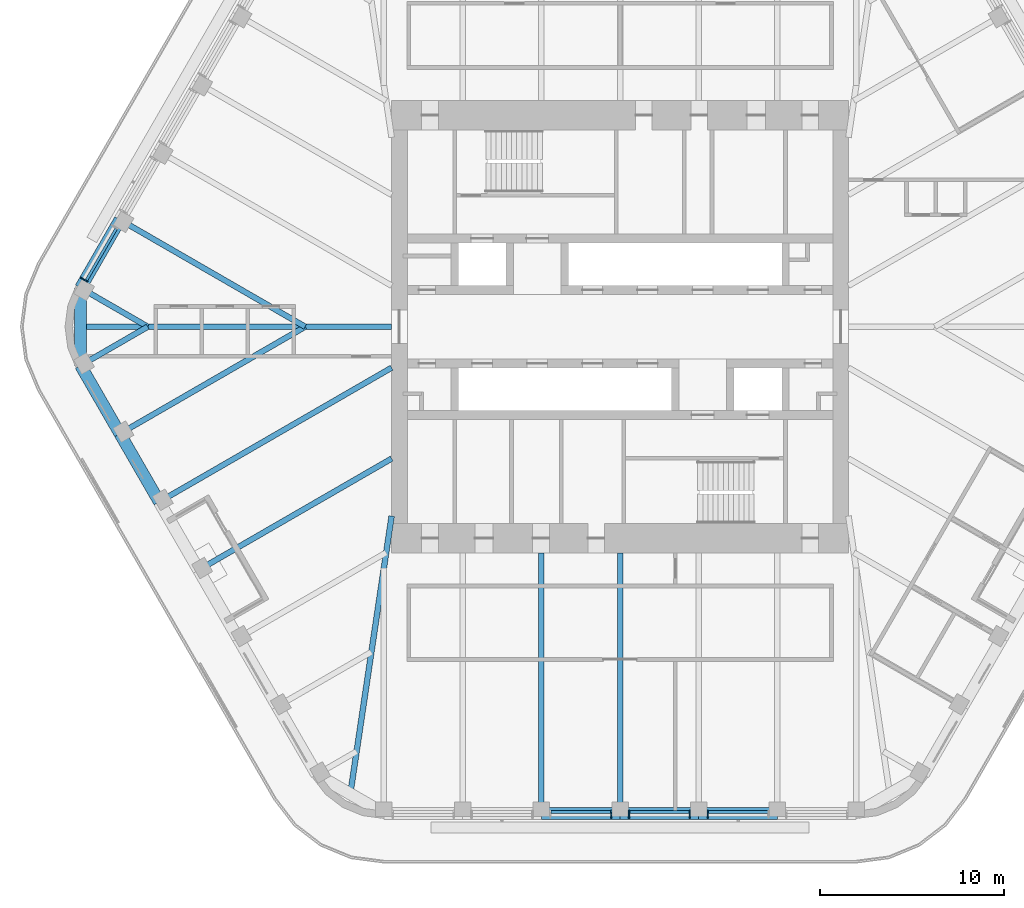
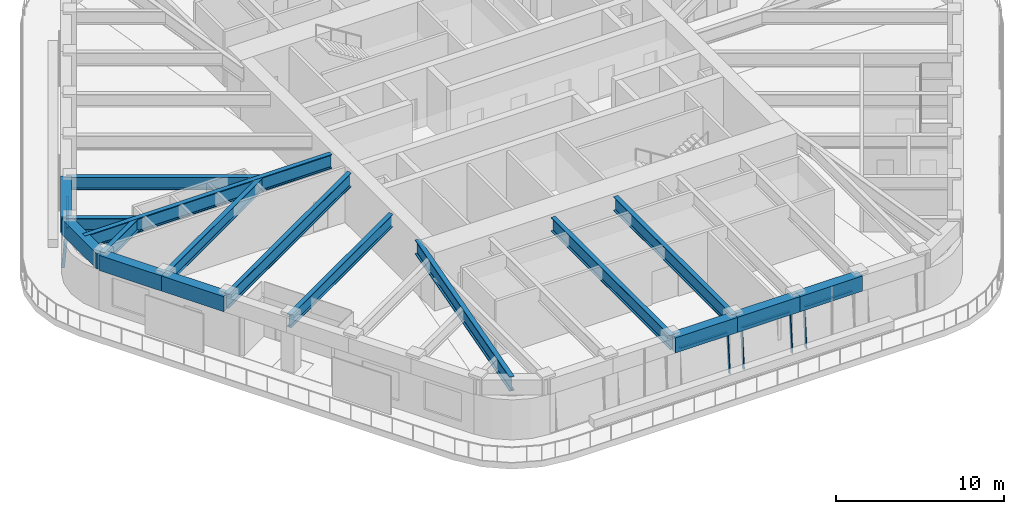
# One storey, part 3 of 19: 17 beams, 9 members, 4 elements without a shape of their own.
"""IFC4 building model written with IfcOpenShell, lengths in metres."""

from ifc_helpers import new_model, si_unit, direction, frame, origin, origin_2d, place, context, subcontext, project, spatial, rectangle, i_section, extrude, material, material_profile, profile_set, type_object, element, aggregate, save


model = new_model("IFC4")

# Units and contexts
model_context = context("Model", 3, precision=1e-05, world=origin(), true_north=direction((0.0, 1.0)))
body_context = subcontext(model_context, "Body", "Model", "MODEL_VIEW")
ifc_project = project(units=[si_unit("LENGTHUNIT", "METRE"), si_unit("AREAUNIT", "SQUARE_METRE"), si_unit("VOLUMEUNIT", "CUBIC_METRE"), si_unit("PLANEANGLEUNIT", "RADIAN"), si_unit("MASSUNIT", "GRAM", prefix="KILO")], contexts=[model_context])

# Site, building, storey
site_placement = place(None, origin())
site = spatial("IfcSite", under=ifc_project, at=site_placement, CompositionType="ELEMENT")
building_placement = place(site_placement, origin())
building = spatial("IfcBuilding", under=site, at=building_placement, Name="Tarfa Lantern Tower", CompositionType="ELEMENT")
storey_placement = place(building_placement, frame((0.0, 0.0, 357.699951171875)))
storey = spatial("IfcBuildingStorey", under=building, at=storey_placement, Name="L81", CompositionType="ELEMENT", Elevation=357.699951171875)

# Curtain wall, member
ifc_material_1 = material(Name="Aluminium framed curtain wall", Category="aluminium")
curtain_wall_type = type_object("IfcCurtainWallType", Name="CW4 CANTED GLAZING EXECUTIVE ZONE 2900", PredefinedType="USERDEFINED", material=ifc_material_1)
curtain_wall_1_placement = place(storey_placement, origin())
curtain_wall_1 = element("IfcCurtainWall", 1, at=curtain_wall_1_placement, inside=storey, type_object=curtain_wall_type, Name="CW4 NW L81", ObjectType="CURTAIN WALL", PredefinedType="USERDEFINED")
ifc_material_2 = material(Name="Aluminium mullion", Category="aluminium")
ifc_material_profile_1 = material_profile(ifc_material_2, rectangle(XDim=0.06494140625, YDim=0.199951171875, at=origin_2d()), Name="AL MULLION 65x200")
ifc_profile_set_1 = profile_set([ifc_material_profile_1], Name="Aluminium mullion")
member_type_1 = type_object("IfcMemberType", Name="CWM1 MULLION 65x200", PredefinedType="MULLION", material=ifc_profile_set_1)
member_1_placement = place(storey_placement, frame((-29.26123046875, 2.617919921875, 0.0), z_axis=(0.074310195522, -0.042942234884, 0.996310172238), x_axis=(0.500342721131, 0.865827443207, 0.0)))
member_1 = element("IfcMember", 2, at=member_1_placement, type_object=member_type_1, Name="CW4 mullion 2", PredefinedType="MULLION", context=body_context, shape_type="SweptSolid", body=[
    extrude(rectangle(XDim=0.06494140625, YDim=0.199951171875, at=origin_2d()), origin(), (0.0, 0.0, 1.0), 2.910888671875),
])

curtain_wall_2_placement = place(storey_placement, origin())
curtain_wall_2 = element("IfcCurtainWall", 3, at=curtain_wall_2_placement, inside=storey, type_object=curtain_wall_type, Name="CW4 S L81", ObjectType="CURTAIN WALL", PredefinedType="USERDEFINED")
member_2_placement = place(storey_placement, frame((-0.482421875, -26.64990234375, 0.0), z_axis=(0.0, 0.085884035992, 0.996305140186), x_axis=(-1.0, 0.0, 0.0)))
member_2 = element("IfcMember", 4, at=member_2_placement, type_object=member_type_1, Name="CW4 mullion 2", PredefinedType="MULLION", context=body_context, shape_type="SweptSolid", body=[
    extrude(rectangle(XDim=0.06494140625, YDim=0.199951171875, at=origin_2d()), origin(), (0.0, 0.0, 1.0), 2.910888671875),
])

# Curtain wall, members
curtain_wall_3_placement = place(storey_placement, origin())
curtain_wall_3 = element("IfcCurtainWall", 5, at=curtain_wall_3_placement, inside=storey, type_object=curtain_wall_type, Name="CW4 S L81", ObjectType="CURTAIN WALL", PredefinedType="USERDEFINED")
member_3_placement = place(storey_placement, frame((0.482421875, -26.64990234375, 0.0), z_axis=(0.0, 0.085884035992, 0.996305140186), x_axis=(-1.0, 0.0, 0.0)))
member_3 = element("IfcMember", 6, at=member_3_placement, type_object=member_type_1, Name="CW4 mullion 1", PredefinedType="MULLION", context=body_context, shape_type="SweptSolid", body=[
    extrude(rectangle(XDim=0.06494140625, YDim=0.199951171875, at=origin_2d()), origin(), (0.0, 0.0, 1.0), 2.910888671875),
])
member_4_placement = place(storey_placement, frame((3.799560546875, -26.64990234375, 0.0), z_axis=(0.0, 0.085884035992, 0.996305140186), x_axis=(-1.0, 0.0, 0.0)))
member_4 = element("IfcMember", 7, at=member_4_placement, type_object=member_type_1, Name="CW4 mullion 2", PredefinedType="MULLION", context=body_context, shape_type="SweptSolid", body=[
    extrude(rectangle(XDim=0.06494140625, YDim=0.199951171875, at=origin_2d()), origin(), (0.0, 0.0, 1.0), 2.910888671875),
])

# Curtain wall, member
curtain_wall_4_placement = place(storey_placement, origin())
curtain_wall_4 = element("IfcCurtainWall", 8, at=curtain_wall_4_placement, inside=storey, type_object=curtain_wall_type, Name="CW4 S L81", ObjectType="CURTAIN WALL", PredefinedType="USERDEFINED")
member_5_placement = place(storey_placement, frame((4.764404296875, -26.64990234375, 0.0), z_axis=(0.0, 0.085884035992, 0.996305140186), x_axis=(-1.0, 0.0, 0.0)))
member_5 = element("IfcMember", 9, at=member_5_placement, type_object=member_type_1, Name="CW4 mullion 1", PredefinedType="MULLION", context=body_context, shape_type="SweptSolid", body=[
    extrude(rectangle(XDim=0.06494140625, YDim=0.199951171875, at=origin_2d()), origin(), (0.0, 0.0, 1.0), 2.910888671875),
])

# Member
ifc_material_3 = material(Name="Aluminium transom", Category="aluminium")
ifc_material_profile_2 = material_profile(ifc_material_3, rectangle(XDim=0.14990234375, YDim=0.06494140625, at=origin_2d()), Name="AL TRANSOM 150x65")
ifc_profile_set_2 = profile_set([ifc_material_profile_2], Name="Aluminium transom")
member_type_2 = type_object("IfcMemberType", Name="CWT1 TRANSOM 150x65", PredefinedType="USERDEFINED", material=ifc_profile_set_2)
member_6_placement = place(storey_placement, frame((-27.405029296875, 5.338623046875, 2.867431640625), z_axis=(-0.500014901547, -0.866016800201, 0.0), x_axis=(0.866016800201, -0.500014901547, 0.0)))
member_6 = element("IfcMember", 10, at=member_6_placement, type_object=member_type_2, Name="CW4 transom 1.2", ObjectType="TRANSOM", PredefinedType="USERDEFINED", context=body_context, shape_type="SweptSolid", body=[
    extrude(rectangle(XDim=0.14990234375, YDim=0.06494140625, at=origin_2d()), origin(), (0.0, 0.0, 1.0), 3.251953125),
])

aggregate(curtain_wall_1, [member_1, member_6])

member_7_placement = place(storey_placement, frame((-3.76708984375, -26.40283203125, 2.867431640625), z_axis=(1.0, 0.0, 0.0), x_axis=(0.0, 1.0, 0.0)))
member_7 = element("IfcMember", 11, at=member_7_placement, type_object=member_type_2, Name="CW4 transom 1.2", ObjectType="TRANSOM", PredefinedType="USERDEFINED", context=body_context, shape_type="SweptSolid", body=[
    extrude(rectangle(XDim=0.14990234375, YDim=0.06494140625, at=origin_2d()), origin(), (0.0, 0.0, 1.0), 3.252197265625),
])

aggregate(curtain_wall_2, [member_2, member_7])

member_8_placement = place(storey_placement, frame((0.514892578125, -26.40283203125, 2.867431640625), z_axis=(1.0, 0.0, 0.0), x_axis=(0.0, 1.0, 0.0)))
member_8 = element("IfcMember", 12, at=member_8_placement, type_object=member_type_2, Name="CW4 transom 1.2", ObjectType="TRANSOM", PredefinedType="USERDEFINED", context=body_context, shape_type="SweptSolid", body=[
    extrude(rectangle(XDim=0.14990234375, YDim=0.06494140625, at=origin_2d()), origin(), (0.0, 0.0, 1.0), 3.252197265625),
])

aggregate(curtain_wall_3, [member_3, member_4, member_8])

member_9_placement = place(storey_placement, frame((4.797119140625, -26.40283203125, 2.867431640625), z_axis=(1.0, 0.0, 0.0), x_axis=(0.0, 1.0, 0.0)))
member_9 = element("IfcMember", 13, at=member_9_placement, type_object=member_type_2, Name="CW4 transom 1.2", ObjectType="TRANSOM", PredefinedType="USERDEFINED", context=body_context, shape_type="SweptSolid", body=[
    extrude(rectangle(XDim=0.14990234375, YDim=0.06494140625, at=origin_2d()), origin(), (0.0, 0.0, 1.0), 3.251953125),
])

aggregate(curtain_wall_4, [member_5, member_9])

# Beams
ifc_material_4 = material(Name="Concrete C80/95", Category="concrete")
ifc_material_profile_3 = material_profile(ifc_material_4, rectangle(XDim=0.64990234375, YDim=1.10009765625, at=origin_2d()), Name="RC 650x1100")
ifc_profile_set_3 = profile_set([ifc_material_profile_3], Name="Concrete C80/95")
beam_type_1 = type_object("IfcBeamType", Name="EB4 RC 650x1100", PredefinedType="SPANDREL", material=ifc_profile_set_3)
beam_1_placement = place(storey_placement, frame((-27.205810546875, 5.818359375, 3.449951171875), z_axis=(-0.499984039138, -0.866034618596, 0.0), x_axis=(0.866034618596, -0.499984039138, 0.0)))
element("IfcBeam", 14, at=beam_1_placement, inside=storey, type_object=beam_type_1, Name="Edge beam NW5", PredefinedType="SPANDREL", context=body_context, shape_type="SweptSolid", body=[
    extrude(rectangle(XDim=0.64990234375, YDim=1.10009765625, at=origin_2d()), origin(), (0.0, 0.0, 1.0), 4.281982421875),
])
beam_2_placement = place(storey_placement, frame((-29.3466796875, 2.110107421875, 3.449951171875), z_axis=(0.0, -1.0, 0.0), x_axis=(1.0, 0.0, 0.0)))
element("IfcBeam", 15, at=beam_2_placement, inside=storey, type_object=beam_type_1, Name="Edge beam NW6", PredefinedType="SPANDREL", context=body_context, shape_type="SweptSolid", body=[
    extrude(rectangle(XDim=0.64990234375, YDim=1.10009765625, at=origin_2d()), origin(), (0.0, 0.0, 1.0), 4.22021484375),
])
for number, where, z_axis, x_axis, name in (
    (16, (-29.3466796875, -2.110107421875, 3.449951171875), (0.499984039138, -0.866034618596, 0.0), (0.866034618596, 0.499984039138, 0.0), "Edge beam SW0"),
    (17, (-27.205810546875, -5.818359375, 3.449951171875), (0.500026801138, -0.866009929587, 0.0), (0.866009929587, 0.500026801138, 0.0), "Edge beam SW1"),
    (18, (-4.281982421875, -26.469970703125, 3.449951171875), (1.0, 0.0, 0.0), (0.0, 1.0, 0.0), "Edge beam S2"),
    (19, (0.0, -26.469970703125, 3.449951171875), (1.0, 0.0, 0.0), (0.0, 1.0, 0.0), "Edge beam S3"),
    (20, (4.281982421875, -26.469970703125, 3.449951171875), (1.0, 0.0, 0.0), (0.0, 1.0, 0.0), "Edge beam S4"),
):
    element("IfcBeam", number, at=place(storey_placement, frame(where, z_axis=z_axis, x_axis=x_axis)), inside=storey, type_object=beam_type_1, Name=name, PredefinedType="SPANDREL", context=body_context, shape_type="SweptSolid", body=[
        extrude(rectangle(XDim=0.64990234375, YDim=1.10009765625, at=origin_2d()), origin(), (0.0, 0.0, 1.0), 4.281982421875),
    ])
ifc_material_5 = material(Name="Steel S460M", Category="steel")
ifc_material_profile_4 = material_profile(ifc_material_5, i_section(OverallWidth=0.302001953125, OverallDepth=1.008056640625, WebThickness=0.02099609375, FlangeThickness=0.0400390625, FilletRadius=0.030029296875, at=origin_2d()), Name="UB1016x305x349")
ifc_profile_set_4 = profile_set([ifc_material_profile_4], Name="Steel S460M")
beam_type_2 = type_object("IfcBeamType", Name="UB1016x305x349", PredefinedType="BEAM", material=ifc_profile_set_4)
beam_3_placement = place(storey_placement, frame((-25.064697265625, -9.526611328125, 3.49609375), z_axis=(0.866029591389, 0.499992746786, 0.0), x_axis=(-0.499992746786, 0.866029591389, 0.0)))
element("IfcBeam", 21, at=beam_3_placement, inside=storey, type_object=beam_type_2, Name="Floor beam SW2", PredefinedType="BEAM", context=body_context, shape_type="SweptSolid", body=[
    extrude(i_section(OverallWidth=0.302001953125, OverallDepth=1.008056640625, WebThickness=0.02099609375, FlangeThickness=0.0400390625, FilletRadius=0.030029296875, at=origin_2d()), origin(), (0.0, 0.0, 1.0), 14.594970703125),
])
for number, where, z_axis, x_axis, name in (
    (22, (-4.281982421875, -26.469970703125, 3.49609375), (0.0, 1.0, 0.0), (-1.0, 0.0, 0.0), "Floor beam S2"),
    (23, (0.0, -26.469970703125, 3.49609375), (0.0, 1.0, 0.0), (-1.0, 0.0, 0.0), "Floor beam S3"),
):
    element("IfcBeam", number, at=place(storey_placement, frame(where, z_axis=z_axis, x_axis=x_axis)), inside=storey, type_object=beam_type_2, Name=name, PredefinedType="BEAM", context=body_context, shape_type="SweptSolid", body=[
        extrude(i_section(OverallWidth=0.302001953125, OverallDepth=1.008056640625, WebThickness=0.02099609375, FlangeThickness=0.0400390625, FilletRadius=0.030029296875, at=origin_2d()), origin(), (0.0, 0.0, 1.0), 14.169921875),
    ])
ifc_material_profile_5 = material_profile(ifc_material_5, i_section(OverallWidth=0.30859375, OverallDepth=1.036376953125, WebThickness=0.030029296875, FlangeThickness=0.05419921875, FilletRadius=0.030029296875, at=origin_2d()), Name="UB1016x305x487")
ifc_profile_set_5 = profile_set([ifc_material_profile_5], Name="Steel S460M")
beam_type_3 = type_object("IfcBeamType", Name="UB1016x305x487", PredefinedType="BEAM", material=ifc_profile_set_5)
beam_4_placement = place(storey_placement, frame((-12.425048828125, 0.0, 3.48193359375), z_axis=(-1.0, 0.0, 0.0), x_axis=(0.0, -1.0, 0.0)))
element("IfcBeam", 24, at=beam_4_placement, inside=storey, type_object=beam_type_3, Name="Hip girder W", PredefinedType="BEAM", context=body_context, shape_type="SweptSolid", body=[
    extrude(i_section(OverallWidth=0.30859375, OverallDepth=1.036376953125, WebThickness=0.030029296875, FlangeThickness=0.05419921875, FilletRadius=0.030029296875, at=origin_2d()), origin(), (0.0, 0.0, 1.0), 16.921630859375),
])
beam_5_placement = place(storey_placement, frame((-12.425048828125, -10.300048828125, 3.48193359375), z_axis=(-0.147127069073, -0.989117599452, 0.0), x_axis=(0.989117599452, -0.147127069073, 0.0)))
element("IfcBeam", 25, at=beam_5_placement, inside=storey, type_object=beam_type_3, Name="Hip girder SW", PredefinedType="BEAM", context=body_context, shape_type="SweptSolid", body=[
    extrude(i_section(OverallWidth=0.30859375, OverallDepth=1.036376953125, WebThickness=0.030029296875, FlangeThickness=0.05419921875, FilletRadius=0.030029296875, at=origin_2d()), origin(), (0.0, 0.0, 1.0), 15.28125),
])
ifc_material_profile_6 = material_profile(ifc_material_5, i_section(OverallWidth=0.305419921875, OverallDepth=0.91845703125, WebThickness=0.017333984375, FlangeThickness=0.02783203125, FilletRadius=0.01904296875, at=origin_2d()), Name="UB914x305x253")
ifc_profile_set_6 = profile_set([ifc_material_profile_6], Name="Steel S460M")
beam_type_4 = type_object("IfcBeamType", Name="UB914x305x253", PredefinedType="BEAM", material=ifc_profile_set_6)
beam_6_placement = place(storey_placement, frame((-27.205810546875, 5.818359375, 3.540771484375), z_axis=(0.866024171998, -0.500002133511, 0.0), x_axis=(0.500002133511, 0.866024171998, 0.0)))
element("IfcBeam", 26, at=beam_6_placement, inside=storey, type_object=beam_type_4, Name="Floor beam NW5", PredefinedType="BEAM", context=body_context, shape_type="SweptSolid", body=[
    extrude(i_section(OverallWidth=0.305419921875, OverallDepth=0.91845703125, WebThickness=0.017333984375, FlangeThickness=0.02783203125, FilletRadius=0.01904296875, at=origin_2d()), origin(), (0.0, 0.0, 1.0), 11.63671875),
])
for number, where, z_axis, x_axis, name in (
    (27, (-29.3466796875, 2.110107421875, 3.540771484375), (0.866009274789, -0.500027935199, 0.0), (0.500027935199, 0.866009274789, 0.0), "Floor beam NW6"),
    (28, (-29.3466796875, -2.110107421875, 3.540771484375), (0.866009274789, 0.500027935199, 0.0), (-0.500027935199, 0.866009274789, 0.0), "Floor beam SW0"),
):
    element("IfcBeam", number, at=place(storey_placement, frame(where, z_axis=z_axis, x_axis=x_axis)), inside=storey, type_object=beam_type_4, Name=name, PredefinedType="BEAM", context=body_context, shape_type="SweptSolid", body=[
        extrude(i_section(OverallWidth=0.305419921875, OverallDepth=0.91845703125, WebThickness=0.017333984375, FlangeThickness=0.02783203125, FilletRadius=0.01904296875, at=origin_2d()), origin(), (0.0, 0.0, 1.0), 4.219970703125),
    ])
beam_7_placement = place(storey_placement, frame((-27.205810546875, -5.818359375, 3.540771484375), z_axis=(0.866024171998, 0.500002133511, 0.0), x_axis=(-0.500002133511, 0.866024171998, 0.0)))
element("IfcBeam", 29, at=beam_7_placement, inside=storey, type_object=beam_type_4, Name="Floor beam SW1", PredefinedType="BEAM", context=body_context, shape_type="SweptSolid", body=[
    extrude(i_section(OverallWidth=0.305419921875, OverallDepth=0.91845703125, WebThickness=0.017333984375, FlangeThickness=0.02783203125, FilletRadius=0.01904296875, at=origin_2d()), origin(), (0.0, 0.0, 1.0), 11.63671875),
])
beam_8_placement = place(storey_placement, frame((-22.923583984375, -13.235107421875, 3.540771484375), z_axis=(0.86601856927, 0.500011837539, 0.0), x_axis=(-0.500011837539, 0.86601856927, 0.0)))
element("IfcBeam", 30, at=beam_8_placement, inside=storey, type_object=beam_type_4, Name="Floor beam SW3", PredefinedType="BEAM", context=body_context, shape_type="SweptSolid", body=[
    extrude(i_section(OverallWidth=0.305419921875, OverallDepth=0.91845703125, WebThickness=0.017333984375, FlangeThickness=0.02783203125, FilletRadius=0.01904296875, at=origin_2d()), origin(), (0.0, 0.0, 1.0), 12.122802734375),
])

save(model, "model.ifc")
